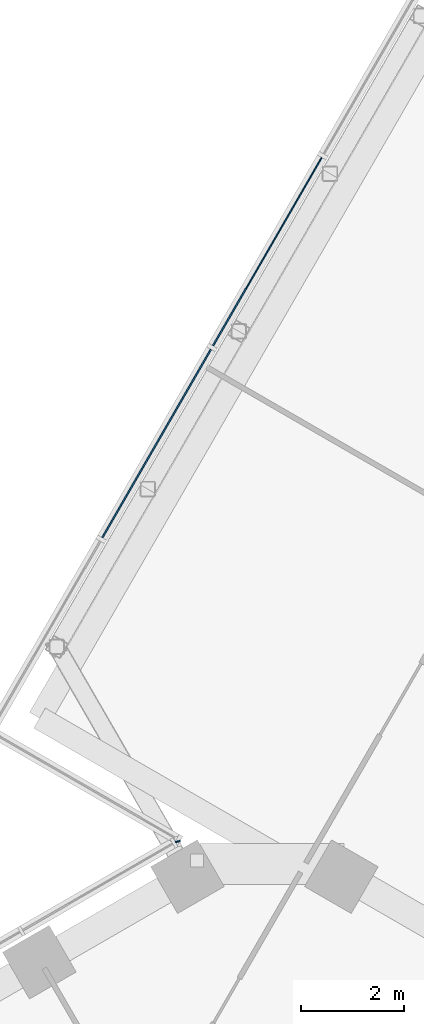
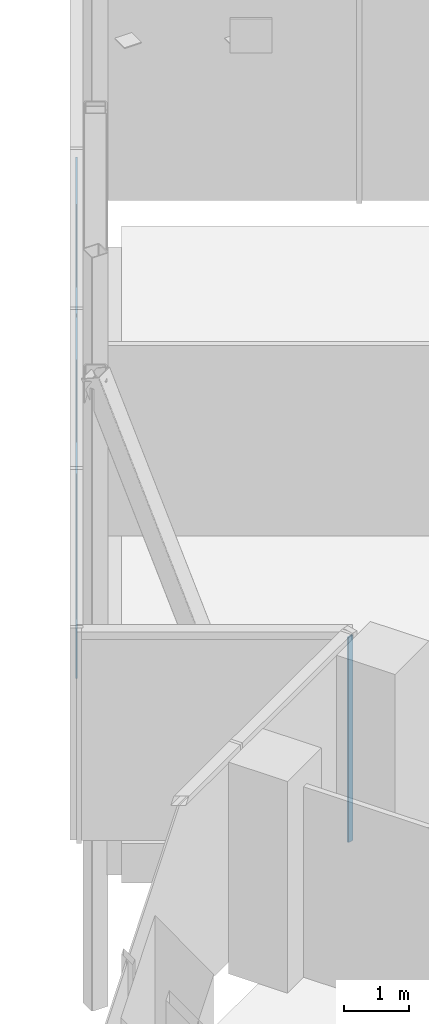
# One storey, part 17 of 25: 3 plates, 2 elements without a shape of their own.
"""IFC4 building model written with IfcOpenShell, lengths in metres."""

import ifcopenshell
import ifcopenshell.guid

model = None  # the IFC model being written
_history = None  # IfcOwnerHistory: only IFC2X3 demands one
_inside = {}  # id of a spatial element -> (the spatial element, [elements in it])
_under = {}  # id of a project, library or spatial element -> (it, [spatial elements below it])
_declared = {}  # id of a project -> (the project, [libraries it declares])
_typed = {}  # id of a type object -> (the type object, [elements of that type])
_made_of = {}  # id of a material, layer set ... -> (it, [elements and type objects made of it])


def new_model(schema):
    """Start an empty IFC model of exactly this schema.

    Asked for "IFC4X3", IfcOpenShell would pick the latest addendum, in which some entities
    have other attributes; the version numbers below select the first issue.
    IFC2X3 requires an IfcOwnerHistory on every rooted entity: one is made here for all.
    """
    global model, _history
    if schema == "IFC4X3":
        model = ifcopenshell.file(schema_version=(4, 3, 0, 0))
    else:
        model = ifcopenshell.file(schema=schema)
    _inside.clear()
    _under.clear()
    _declared.clear()
    _typed.clear()
    _made_of.clear()
    _history = None
    if model.schema == "IFC2X3":
        org = make("IfcOrganization", Name="unknown")
        user = make(
            "IfcPersonAndOrganization",
            ThePerson=make("IfcPerson", FamilyName="unknown"),
            TheOrganization=org,
        )
        app = make(
            "IfcApplication",
            ApplicationDeveloper=org,
            Version="unknown",
            ApplicationFullName="unknown",
            ApplicationIdentifier="unknown",
        )
        _history = make(
            "IfcOwnerHistory",
            OwningUser=user,
            OwningApplication=app,
            ChangeAction="ADDED",
            CreationDate=0,
        )
    return model


def make(cls, **values):
    """One entity of the class cls with the attributes given. An attribute that is None is left unset."""
    return model.create_entity(
        cls, **{name: value for name, value in values.items() if value is not None}
    )


def rooted(cls, **values):
    """An entity with a GlobalId (a new one), such as an element, a storey or a relation."""
    return make(cls, GlobalId=ifcopenshell.guid.new(), OwnerHistory=_history, **values)


def si_unit(unit_type, name, prefix=None):
    """IfcSIUnit, for example si_unit("LENGTHUNIT", "METRE", prefix="MILLI")."""
    return make("IfcSIUnit", UnitType=unit_type, Prefix=prefix, Name=name)


def assignment(units):
    """IfcUnitAssignment: the units of a project."""
    return None if units is None else make("IfcUnitAssignment", Units=units)


def point(xyz):
    """IfcCartesianPoint."""
    return None if xyz is None else make("IfcCartesianPoint", Coordinates=xyz)


def direction(xyz):
    """IfcDirection."""
    return None if xyz is None else make("IfcDirection", DirectionRatios=xyz)


def frame(location, z_axis=None, x_axis=None):
    """IfcAxis2Placement3D, a coordinate frame: its origin and axes. An axis left out is left unset."""
    return make(
        "IfcAxis2Placement3D",
        Location=point(location),
        Axis=direction(z_axis),
        RefDirection=direction(x_axis),
    )


def frame_2d(location, x_axis=None):
    """IfcAxis2Placement2D, a coordinate frame in the plane: its origin and x axis."""
    return make(
        "IfcAxis2Placement2D", Location=point(location), RefDirection=direction(x_axis)
    )


def origin():
    """The frame at (0, 0, 0) with its axes left unset."""
    return frame((0.0, 0.0, 0.0))


def origin_2d():
    """The frame at (0, 0) in the plane with its x axis left unset."""
    return frame_2d((0.0, 0.0))


def place(relative_to, where):
    """IfcLocalPlacement: puts the frame where relative to a parent placement (None: the world)."""
    return make(
        "IfcLocalPlacement", PlacementRelTo=relative_to, RelativePlacement=where
    )


def context(
    kind, dimensions, precision=None, world=None, true_north=None, identifier=None
):
    """IfcGeometricRepresentationContext, for example the 3D "Model" context."""
    return make(
        "IfcGeometricRepresentationContext",
        ContextIdentifier=identifier,
        ContextType=kind,
        CoordinateSpaceDimension=dimensions,
        Precision=precision,
        WorldCoordinateSystem=world,
        TrueNorth=true_north,
    )


def subcontext(parent, identifier, kind, view, scale=None):
    """IfcGeometricRepresentationSubContext, for example "Body" below "Model"."""
    return make(
        "IfcGeometricRepresentationSubContext",
        ContextIdentifier=identifier,
        ContextType=kind,
        ParentContext=parent,
        TargetScale=scale,
        TargetView=view,
    )


def project(units=None, contexts=None):
    """IfcProject with its units and contexts."""
    return rooted(
        "IfcProject",
        Name="project",
        RepresentationContexts=contexts,
        UnitsInContext=assignment(units),
    )


def spatial(cls, under=None, at=None, **own):
    """A site, building, storey or space (cls), placed at a placement, below another one or the project."""
    s = rooted(cls, ObjectPlacement=at, **own)
    if under is not None:
        _under.setdefault(under.id(), (under, []))[1].append(s)
    return s


def profile(cls, at=None, kind="AREA", **sizes):
    """A parametric profile (cls). Its sizes go by their IFC names, for example OverallWidth=200.0."""
    return make(cls, ProfileType=kind, Position=at, **sizes)


def rectangle(**sizes):
    """IfcRectangleProfileDef."""
    return profile("IfcRectangleProfileDef", **sizes)


def extrude(swept, where, along, depth):
    """IfcExtrudedAreaSolid: the profile swept, set in the frame where, extruded along a direction by depth."""
    return make(
        "IfcExtrudedAreaSolid",
        SweptArea=swept,
        Position=where,
        ExtrudedDirection=direction(along),
        Depth=depth,
    )


def shape(context_of_items, identifier, shape_type, items):
    """IfcShapeRepresentation: the items that make up one representation, for example the "Body"."""
    return make(
        "IfcShapeRepresentation",
        ContextOfItems=context_of_items,
        RepresentationIdentifier=identifier,
        RepresentationType=shape_type,
        Items=items,
    )


def material(Name=None, Category=None):
    """IfcMaterial."""
    return make("IfcMaterial", Name=Name, Category=Category)


def layer(
    of_material, thickness, ventilated=None, Name=None, Category=None, Priority=None
):
    """IfcMaterialLayer: one layer of a wall or slab, of a material (None: an air gap)."""
    return make(
        "IfcMaterialLayer",
        Material=of_material,
        LayerThickness=thickness,
        IsVentilated=ventilated,
        Name=Name,
        Category=Category,
        Priority=Priority,
    )


def layer_set(layers, Name=None):
    """IfcMaterialLayerSet."""
    return make("IfcMaterialLayerSet", MaterialLayers=layers, LayerSetName=Name)


def made_of(thing, what):
    """Note that an element or type object is made of a material, layer set ...; save() writes the relation."""
    if what is not None:
        _made_of.setdefault(what.id(), (what, []))[1].append(thing)
    return thing


def type_object(cls, material=None, **own):
    """A type object (cls), such as IfcWallType, which elements share."""
    return made_of(rooted(cls, **own), material)


def element(
    cls,
    number,
    at=None,
    inside=None,
    cuts=None,
    type_object=None,
    material=None,
    context=None,
    identifier="Body",
    shape_type=None,
    held_by="IfcProductDefinitionShape",
    body=None,
    shapes=None,
    **own,
):
    """One element of the class cls, such as IfcWall. Its Tag is "e" and its number.

    at: its placement. inside: the storey or other place that contains it. cuts: it is an
    opening in that element (IfcRelVoidsElement). A single representation is given by context,
    identifier, shape_type and body (its items); several are given by shapes. held_by: the class
    of the entity that holds the representations. save() writes the other relations.
    """
    e = rooted(cls, Tag="e%d" % number, ObjectPlacement=at, **own)
    if body is not None:
        shapes = [shape(context, identifier, shape_type, body)]
    if shapes is not None:
        e.Representation = make(held_by, Representations=shapes)
    if inside is not None:
        _inside.setdefault(inside.id(), (inside, []))[1].append(e)
    if cuts is not None:
        rooted(
            "IfcRelVoidsElement", RelatingBuildingElement=cuts, RelatedOpeningElement=e
        )
    if type_object is not None:
        _typed.setdefault(type_object.id(), (type_object, []))[1].append(e)
    return made_of(e, material)


def aggregate(whole, parts):
    """IfcRelAggregates: a whole, such as a stair, and the parts it consists of."""
    return rooted("IfcRelAggregates", RelatingObject=whole, RelatedObjects=parts)


def save(model, path):
    """Write the relations noted so far, then the file.

    IfcRelAggregates (storeys below a building ...), IfcRelContainedInSpatialStructure (elements
    in a storey), IfcRelDefinesByType, IfcRelAssociatesMaterial and IfcRelDeclares: one each for
    every whole, place, type object, material and project.
    """
    for whole, parts in _under.values():
        aggregate(whole, parts)
    for where, things in _inside.values():
        rooted(
            "IfcRelContainedInSpatialStructure",
            RelatedElements=things,
            RelatingStructure=where,
        )
    for kind, things in _typed.values():
        rooted("IfcRelDefinesByType", RelatedObjects=things, RelatingType=kind)
    for what, things in _made_of.values():
        rooted("IfcRelAssociatesMaterial", RelatedObjects=things, RelatingMaterial=what)
    for by, libraries in _declared.values():
        rooted("IfcRelDeclares", RelatingContext=by, RelatedDefinitions=libraries)
    model.write(path)


model = new_model("IFC4")

# Units and contexts
model_context = context("Model", 3, precision=1e-05, world=origin(), true_north=direction((0.0, 1.0)))
body_context = subcontext(model_context, "Body", "Model", "MODEL_VIEW")
ifc_project = project(units=[si_unit("LENGTHUNIT", "METRE"), si_unit("AREAUNIT", "SQUARE_METRE"), si_unit("VOLUMEUNIT", "CUBIC_METRE"), si_unit("PLANEANGLEUNIT", "RADIAN"), si_unit("MASSUNIT", "GRAM", prefix="KILO")], contexts=[model_context])

# Site, building, storey
site_placement = place(None, origin())
site = spatial("IfcSite", under=ifc_project, at=site_placement, CompositionType="ELEMENT")
building_placement = place(site_placement, origin())
building = spatial("IfcBuilding", under=site, at=building_placement, Name="Ayvan Gate Tower", CompositionType="ELEMENT")
storey_placement = place(building_placement, frame((0.0, 0.0, 139.89990234375)))
storey = spatial("IfcBuildingStorey", under=building, at=storey_placement, Name="L37", CompositionType="ELEMENT", Elevation=139.89990234375)

# Curtain wall, plates
ifc_material_1 = material(Name="Bronze anodised aluminium", Category="aluminium")
ifc_layer_1 = layer(ifc_material_1, 0.199951171875)
ifc_layer_set_1 = layer_set([ifc_layer_1], Name="Bronze anodised aluminium")
curtain_wall_type_1 = type_object("IfcCurtainWallType", Name="Stick curtain wall CW-4", PredefinedType="NOTDEFINED", material=ifc_layer_set_1)
curtain_wall_1_placement = place(storey_placement, origin())
curtain_wall_1 = element("IfcCurtainWall", 1, at=curtain_wall_1_placement, inside=storey, type_object=curtain_wall_type_1, Name="Stick curtain wall CW-4 L37", PredefinedType="NOTDEFINED")
ifc_material_2 = material(Name="Pale anodised aluminium composite panel", Category="aluminium")
ifc_layer_2 = layer(ifc_material_2, 0.028076171875)
ifc_layer_set_2 = layer_set([ifc_layer_2], Name="Pale anodised aluminium composite panel")
plate_type_1 = type_object("IfcPlateType", Name="Stick curtain wall CW-4 solid panel", PredefinedType="CURTAIN_PANEL", material=ifc_layer_set_2)
plate_1_placement = place(storey_placement, frame((-0.96826171875, 33.222900390625, 0.0), z_axis=(0.0, 0.0, 1.0), x_axis=(-0.5, -0.866025403784, 0.0)))
plate_1 = element("IfcPlate", 2, at=plate_1_placement, type_object=plate_type_1, Name="CW-4 solid panel 2", PredefinedType="CURTAIN_PANEL", context=body_context, shape_type="SweptSolid", body=[
    extrude(rectangle(XDim=4.237548828125, YDim=0.028076171875, at=origin_2d()), origin(), (0.0, 0.0, 1.0), 3.860107421875),
])
plate_2_placement = place(storey_placement, frame((-3.126953125, 29.48388671875, 0.0), z_axis=(0.0, 0.0, 1.0), x_axis=(-0.5, -0.866025403784, 0.0)))
plate_2 = element("IfcPlate", 3, at=plate_2_placement, type_object=plate_type_1, Name="CW-4 solid panel 3", PredefinedType="CURTAIN_PANEL", context=body_context, shape_type="SweptSolid", body=[
    extrude(rectangle(XDim=4.237548828125, YDim=0.028076171875, at=origin_2d()), origin(), (0.0, 0.0, 1.0), 3.860107421875),
])
aggregate(curtain_wall_1, [plate_1, plate_2])

# Curtain wall, plate
ifc_layer_3 = layer(ifc_material_1, 0.199951171875)
ifc_layer_set_3 = layer_set([ifc_layer_3], Name="Bronze anodised aluminium")
curtain_wall_type_2 = type_object("IfcCurtainWallType", Name="Stick curtain wall CW-6", PredefinedType="NOTDEFINED", material=ifc_layer_set_3)
curtain_wall_2_placement = place(storey_placement, origin())
curtain_wall_2 = element("IfcCurtainWall", 4, at=curtain_wall_2_placement, inside=storey, type_object=curtain_wall_type_2, Name="Stick curtain wall CW-6 L37", PredefinedType="NOTDEFINED")
ifc_material_3 = material(Name="Clear low-iron laminated glass", Category="glass")
ifc_layer_4 = layer(ifc_material_3, 0.028076171875)
ifc_layer_set_4 = layer_set([ifc_layer_4], Name="Clear low-iron laminated glass")
plate_type_2 = type_object("IfcPlateType", Name="Stick curtain wall CW-6 glass panel", PredefinedType="CURTAIN_PANEL", material=ifc_layer_set_4)
plate_3_placement = place(storey_placement, frame((-2.713623046875, 21.726806640625, 0.000244140625), z_axis=(0.0, 0.0, 1.0), x_axis=(-0.965925826289, -0.258819045103, 0.0)))
plate_3 = element("IfcPlate", 5, at=plate_3_placement, type_object=plate_type_2, Name="CW-6 glass panel 1", PredefinedType="CURTAIN_PANEL", context=body_context, shape_type="SweptSolid", body=[
    extrude(rectangle(XDim=0.099365234375, YDim=0.028076171875, at=origin_2d()), origin(), (0.0, 0.0, 1.0), 3.8798828125),
])
aggregate(curtain_wall_2, [plate_3])

save(model, "model.ifc")
